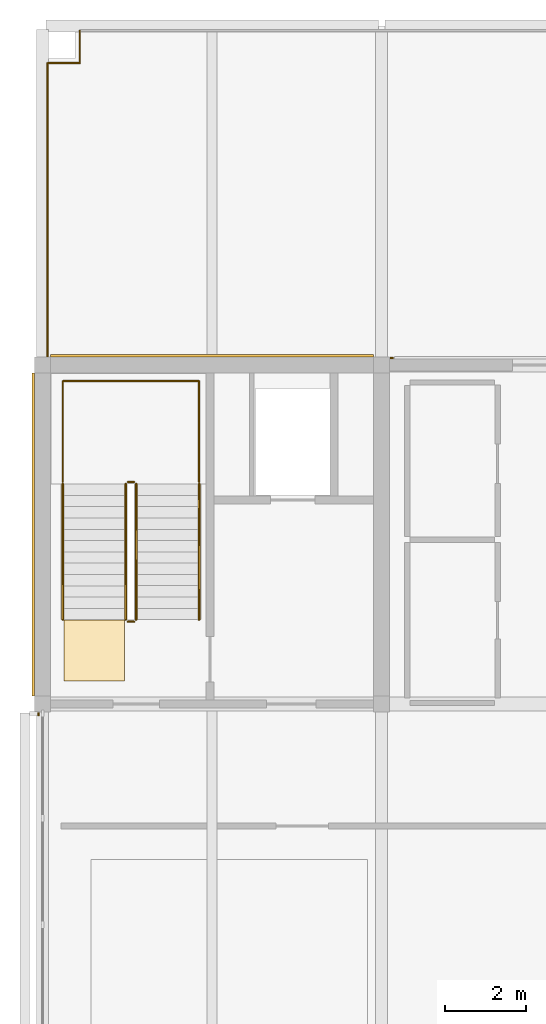
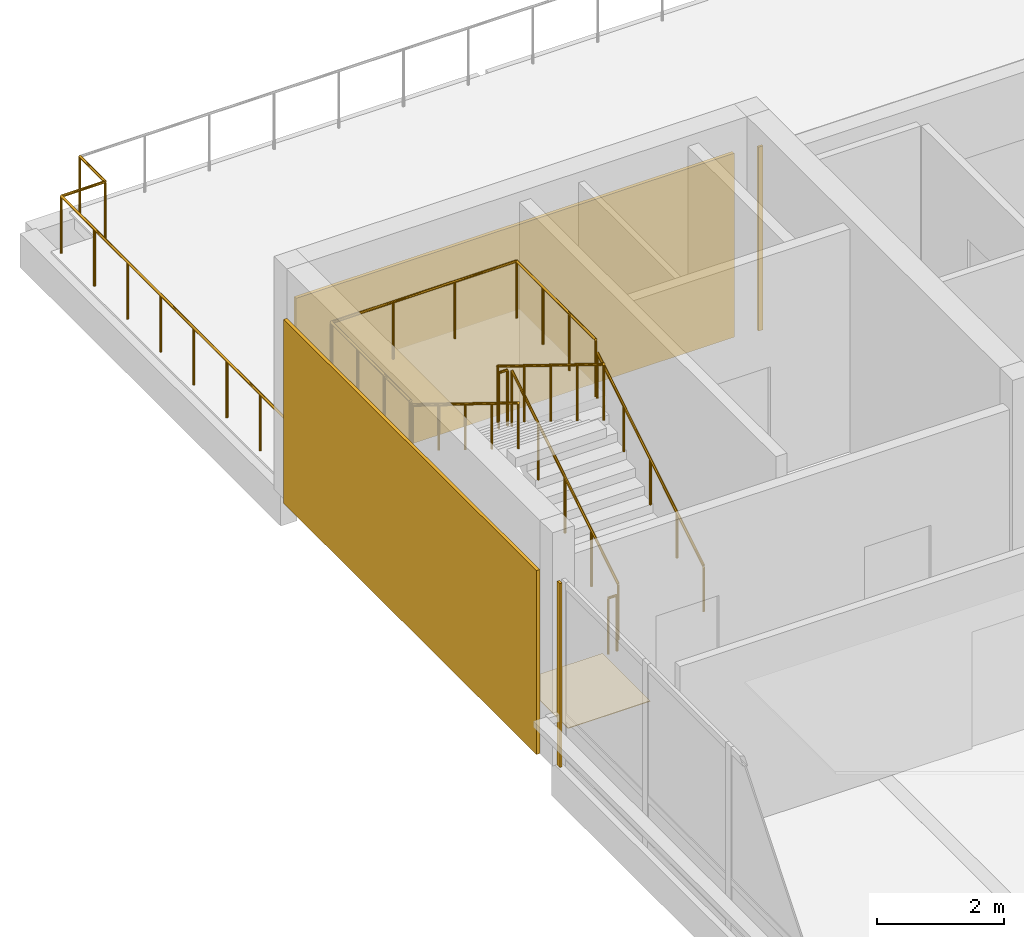
# One storey, part 19 of 25: 8 railings, 5 coverings.
"""IFC4 building model written with IfcOpenShell, lengths in metres."""

from ifc_helpers import new_model, si_unit, direction, frame, origin, origin_2d, place, context, subcontext, project, spatial, polyline, rectangle, circle, outline, extrude, material, layer, layer_set, type_object, element, save


model = new_model("IFC4")

# Units and contexts
model_context = context("Model", 3, precision=1e-05, world=origin(), true_north=direction((0.0, 1.0)))
body_context = subcontext(model_context, "Body", "Model", "MODEL_VIEW")
ifc_project = project(units=[si_unit("LENGTHUNIT", "METRE"), si_unit("AREAUNIT", "SQUARE_METRE"), si_unit("VOLUMEUNIT", "CUBIC_METRE"), si_unit("PLANEANGLEUNIT", "RADIAN"), si_unit("MASSUNIT", "GRAM", prefix="KILO")], contexts=[model_context])

# Site, building, storey
site_placement = place(None, origin())
site = spatial("IfcSite", under=ifc_project, at=site_placement, CompositionType="ELEMENT")
building_placement = place(site_placement, origin())
building = spatial("IfcBuilding", under=site, at=building_placement, Name="Telukmera Botanical Conservatory", CompositionType="ELEMENT")
storey_placement = place(building_placement, frame((0.0, 0.0, 64.5)))
storey = spatial("IfcBuildingStorey", under=building, at=storey_placement, Name="L14", CompositionType="ELEMENT", Elevation=64.5)

# Covering
ifc_material_1 = material(Name="Honed granite non-slip flooring", Category="masonry")
ifc_layer_1 = layer(ifc_material_1, 0.011962890625)
ifc_layer_set_1 = layer_set([ifc_layer_1], Name="Honed granite non-slip flooring")
covering_type_1 = type_object("IfcCoveringType", Name="COV-FLR-12", PredefinedType="FLOORING", material=ifc_layer_set_1)
covering_placement = place(storey_placement, origin())
element("IfcCovering", 1, at=covering_placement, inside=storey, type_object=covering_type_1, Name="L14 ST1 Non-Slip Stair Landing Finish", PredefinedType="FLOORING", context=body_context, shape_type="SweptSolid", body=[
    extrude(outline(polyline([(60.830078125, 26.570068359375), (60.830078125, 28.0849609375), (59.330078125, 28.0849609375), (59.330078125, 26.570068359375), (60.830078125, 26.570068359375)])), origin(), (0.0, 0.0, 1.0), 0.011962890625),
])

# Railing
ifc_material_2 = material(Name="Brushed stainless steel grade 316", Category="steel")
railing_type_1 = type_object("IfcRailingType", Name="Exterior Terrace Safety Guardrail 1100", PredefinedType="GUARDRAIL", material=ifc_material_2)
railing_1_placement = place(storey_placement, frame((58.919921875, 34.550048828125, 0.0400390625)))
element("IfcRailing", 2, at=railing_1_placement, inside=storey, type_object=railing_type_1, Name="Tower Sky Terrace Guardrail L14 W", PredefinedType="GUARDRAIL", context=body_context, shape_type="SweptSolid", body=[
    extrude(circle(Radius=0.02392578125, at=origin_2d()), frame((0.0, 0.0, 1.09619140625), z_axis=(0.0, 1.0, 0.0), x_axis=(-1.0, 0.0, 0.0)), (0.0, 0.0, 1.0), 7.329833984375),
    extrude(circle(Radius=0.02392578125, at=origin_2d()), frame((0.0, 7.329833984375, 1.09619140625), z_axis=(1.0, 0.0, 0.0), x_axis=(0.0, 1.0, 0.0)), (0.0, 0.0, 1.0), 0.800048828125),
    extrude(circle(Radius=0.02392578125, at=origin_2d()), frame((0.800048828125, 7.329833984375, 1.09619140625), z_axis=(0.0, 1.0, 0.0), x_axis=(-1.0, 0.0, 0.0)), (0.0, 0.0, 1.0), 0.800048828125),
    extrude(circle(Radius=0.02099609375, at=origin_2d()), origin(), (0.0, 0.0, 1.0), 1.072021484375),
    extrude(circle(Radius=0.02099609375, at=origin_2d()), frame((0.0, 1.047119140625, 0.0)), (0.0, 0.0, 1.0), 1.072021484375),
    extrude(circle(Radius=0.02099609375, at=origin_2d()), frame((0.0, 2.09423828125, 0.0)), (0.0, 0.0, 1.0), 1.072021484375),
    extrude(circle(Radius=0.02099609375, at=origin_2d()), frame((0.0, 3.141357421875, 0.0)), (0.0, 0.0, 1.0), 1.072021484375),
    extrude(circle(Radius=0.02099609375, at=origin_2d()), frame((0.0, 4.1884765625, 0.0)), (0.0, 0.0, 1.0), 1.072021484375),
    extrude(circle(Radius=0.02099609375, at=origin_2d()), frame((0.0, 5.235595703125, 0.0)), (0.0, 0.0, 1.0), 1.072021484375),
    extrude(circle(Radius=0.02099609375, at=origin_2d()), frame((0.0, 6.28271484375, 0.0)), (0.0, 0.0, 1.0), 1.072021484375),
    extrude(circle(Radius=0.02099609375, at=origin_2d()), frame((0.0, 7.329833984375, 0.0)), (0.0, 0.0, 1.0), 1.072021484375),
    extrude(circle(Radius=0.02099609375, at=origin_2d()), frame((0.800048828125, 7.329833984375, 0.0)), (0.0, 0.0, 1.0), 1.072021484375),
    extrude(circle(Radius=0.02099609375, at=origin_2d()), frame((0.800048828125, 8.1298828125, 0.0)), (0.0, 0.0, 1.0), 1.072021484375),
])

# Coverings
ifc_material_3 = material(Name="Granite-faced precast concrete C40/50", Category="masonry")
ifc_layer_2 = layer(ifc_material_3, 0.0400390625)
ifc_layer_set_2 = layer_set([ifc_layer_2], Name="Granite-faced precast concrete C40/50")
covering_type_2 = type_object("IfcCoveringType", Name="Granite Precast Column Pier Reveal Casing", PredefinedType="CLADDING", material=ifc_layer_set_2)
for number, where, z_axis, x_axis, name in (
    (3, (67.451904296875, 34.570068359375, 0.0), (0.0, 0.0, 1.0), (1.0, 0.0, 0.0), "Granite Pier Reveal V4:L14:N2 L"),
    (4, (58.699951171875, 25.748046875, 0.0), (0.0, 0.0, 1.0), (0.0, 1.0, 0.0), "Granite Pier Reveal V4:L14:W2 R"),
):
    element("IfcCovering", number, at=place(storey_placement, frame(where, z_axis=z_axis, x_axis=x_axis)), inside=storey, type_object=covering_type_2, Name=name, PredefinedType="CLADDING", context=body_context, shape_type="SweptSolid", body=[
        extrude(rectangle(XDim=0.080078125, YDim=0.0400390625, at=origin_2d()), origin(), (0.0, 0.0, 1.0), 3.550048828125),
    ])

# Railings
ifc_material_4 = material(Name="Steel S355", Category="steel")
railing_type_2 = type_object("IfcRailingType", Name="RL-GUARD-1100", PredefinedType="GUARDRAIL", material=ifc_material_4)
railing_2_placement = place(storey_placement, frame((61.1201171875, 28.090087890625, 0.173095703125)))
element("IfcRailing", 5, at=railing_2_placement, inside=storey, type_object=railing_type_2, Name="L14 ST1 stair guard 1", PredefinedType="GUARDRAIL", context=body_context, shape_type="SweptSolid", body=[
    extrude(circle(Radius=0.02392578125, at=origin_2d()), frame((0.0, 0.0, 1.076171875), z_axis=(0.0, 0.850606129759, 0.525803396734), x_axis=(-1.0, 0.0, 0.0)), (0.0, 0.0, 1.0), 3.949951171875),
    extrude(circle(Radius=0.02099609375, at=origin_2d()), origin(), (0.0, 0.0, 1.0), 1.052001953125),
    extrude(circle(Radius=0.02099609375, at=origin_2d()), frame((0.0, 0.83984375, 0.519287109375)), (0.0, 0.0, 1.0), 1.052001953125),
    extrude(circle(Radius=0.02099609375, at=origin_2d()), frame((0.0, 1.679931640625, 1.03857421875)), (0.0, 0.0, 1.0), 1.052001953125),
    extrude(circle(Radius=0.02099609375, at=origin_2d()), frame((0.0, 2.52001953125, 1.5576171875)), (0.0, 0.0, 1.0), 1.052001953125),
    extrude(circle(Radius=0.02099609375, at=origin_2d()), frame((0.0, 3.35986328125, 2.076904296875)), (0.0, 0.0, 1.0), 1.052001953125),
])
railing_3_placement = place(storey_placement, frame((61.070068359375, 31.5, 2.25)))
element("IfcRailing", 6, at=railing_3_placement, inside=storey, type_object=railing_type_2, Name="L14 ST1 stair guard 2", PredefinedType="GUARDRAIL", context=body_context, shape_type="SweptSolid", body=[
    extrude(circle(Radius=0.02392578125, at=origin_2d()), frame((0.0, 0.0, 1.076171875), z_axis=(-1.0, 0.0, 0.0), x_axis=(0.0, -1.0, 0.0)), (0.0, 0.0, 1.0), 0.16015625),
    extrude(circle(Radius=0.02099609375, at=origin_2d()), origin(), (0.0, 0.0, 1.0), 1.052001953125),
    extrude(circle(Radius=0.02099609375, at=origin_2d()), frame((-0.16015625, 0.0, 0.0)), (0.0, 0.0, 1.0), 1.052001953125),
])
railing_4_placement = place(storey_placement, frame((60.860107421875, 31.449951171875, 2.423095703125)))
element("IfcRailing", 7, at=railing_4_placement, inside=storey, type_object=railing_type_2, Name="L14 ST1 stair guard 3", PredefinedType="GUARDRAIL", context=body_context, shape_type="SweptSolid", body=[
    extrude(circle(Radius=0.02392578125, at=origin_2d()), frame((0.0, 0.0, 1.076171875), z_axis=(0.0, -0.850606129759, 0.525803396734), x_axis=(1.0, 0.0, 0.0)), (0.0, 0.0, 1.0), 3.949951171875),
    extrude(circle(Radius=0.02099609375, at=origin_2d()), origin(), (0.0, 0.0, 1.0), 1.052001953125),
    extrude(circle(Radius=0.02099609375, at=origin_2d()), frame((0.0, -0.83984375, 0.519287109375)), (0.0, 0.0, 1.0), 1.052001953125),
    extrude(circle(Radius=0.02099609375, at=origin_2d()), frame((0.0, -1.679931640625, 1.03857421875)), (0.0, 0.0, 1.0), 1.052001953125),
    extrude(circle(Radius=0.02099609375, at=origin_2d()), frame((0.0, -2.52001953125, 1.5576171875)), (0.0, 0.0, 1.0), 1.052001953125),
    extrude(circle(Radius=0.02099609375, at=origin_2d()), frame((0.0, -3.35986328125, 2.076904296875)), (0.0, 0.0, 1.0), 1.052001953125),
])
railing_5_placement = place(storey_placement, frame((61.070068359375, 28.0400390625, 0.0)))
element("IfcRailing", 8, at=railing_5_placement, inside=storey, type_object=railing_type_2, Name="L14 ST1 stair guard 4", PredefinedType="GUARDRAIL", context=body_context, shape_type="SweptSolid", body=[
    extrude(circle(Radius=0.02392578125, at=origin_2d()), frame((0.0, 0.0, 1.076171875), z_axis=(-1.0, 0.0, 0.0), x_axis=(0.0, -1.0, 0.0)), (0.0, 0.0, 1.0), 0.16015625),
    extrude(circle(Radius=0.02099609375, at=origin_2d()), origin(), (0.0, 0.0, 1.0), 1.052001953125),
    extrude(circle(Radius=0.02099609375, at=origin_2d()), frame((-0.16015625, 0.0, 0.0)), (0.0, 0.0, 1.0), 1.052001953125),
])
railing_6_placement = place(storey_placement, frame((62.679931640625, 31.5, 2.25)))
element("IfcRailing", 9, at=railing_6_placement, inside=storey, type_object=railing_type_2, Name="L14 ST1 half-landing perimeter guard 1", PredefinedType="GUARDRAIL", context=body_context, shape_type="SweptSolid", body=[
    extrude(circle(Radius=0.02392578125, at=origin_2d()), frame((0.0, 0.0, 1.09619140625), z_axis=(0.0, 1.0, 0.0), x_axis=(-1.0, 0.0, 0.0)), (0.0, 0.0, 1.0), 2.5),
    extrude(circle(Radius=0.02392578125, at=origin_2d()), frame((0.0, 2.5, 1.09619140625), z_axis=(-1.0, 0.0, 0.0), x_axis=(0.0, -1.0, 0.0)), (0.0, 0.0, 1.0), 3.3798828125),
    extrude(circle(Radius=0.02392578125, at=origin_2d()), frame((-3.3798828125, 2.5, 1.09619140625), z_axis=(0.0, -1.0, 0.0), x_axis=(1.0, 0.0, 0.0)), (0.0, 0.0, 1.0), 2.5),
    extrude(circle(Radius=0.02099609375, at=origin_2d()), origin(), (0.0, 0.0, 1.0), 1.072021484375),
    extrude(circle(Radius=0.02099609375, at=origin_2d()), frame((0.0, 0.833251953125, 0.0)), (0.0, 0.0, 1.0), 1.072021484375),
    extrude(circle(Radius=0.02099609375, at=origin_2d()), frame((0.0, 1.666748046875, 0.0)), (0.0, 0.0, 1.0), 1.072021484375),
    extrude(circle(Radius=0.02099609375, at=origin_2d()), frame((0.0, 2.5, 0.0)), (0.0, 0.0, 1.0), 1.072021484375),
    extrude(circle(Radius=0.02099609375, at=origin_2d()), frame((-1.126708984375, 2.5, 0.0)), (0.0, 0.0, 1.0), 1.072021484375),
    extrude(circle(Radius=0.02099609375, at=origin_2d()), frame((-2.253173828125, 2.5, 0.0)), (0.0, 0.0, 1.0), 1.072021484375),
    extrude(circle(Radius=0.02099609375, at=origin_2d()), frame((-3.3798828125, 2.5, 0.0)), (0.0, 0.0, 1.0), 1.072021484375),
    extrude(circle(Radius=0.02099609375, at=origin_2d()), frame((-3.3798828125, 1.666748046875, 0.0)), (0.0, 0.0, 1.0), 1.072021484375),
    extrude(circle(Radius=0.02099609375, at=origin_2d()), frame((-3.3798828125, 0.833251953125, 0.0)), (0.0, 0.0, 1.0), 1.072021484375),
    extrude(circle(Radius=0.02099609375, at=origin_2d()), frame((-3.3798828125, 0.0, 0.0)), (0.0, 0.0, 1.0), 1.072021484375),
])
ifc_material_5 = material(Name="Stainless steel 316", Category="steel")
railing_type_3 = type_object("IfcRailingType", Name="RL-HAND-900", PredefinedType="HANDRAIL", material=ifc_material_5)
railing_7_placement = place(storey_placement, frame((62.679931640625, 28.090087890625, 0.173095703125)))
element("IfcRailing", 10, at=railing_7_placement, inside=storey, type_object=railing_type_3, Name="L14 ST1 stair handrail 1", PredefinedType="HANDRAIL", context=body_context, shape_type="SweptSolid", body=[
    extrude(circle(Radius=0.02392578125, at=origin_2d()), frame((0.0, 0.0, 0.8759765625), z_axis=(0.0, 0.850606129759, 0.525803396734), x_axis=(-1.0, 0.0, 0.0)), (0.0, 0.0, 1.0), 3.949951171875),
    extrude(circle(Radius=0.02099609375, at=origin_2d()), origin(), (0.0, 0.0, 1.0), 0.851806640625),
    extrude(circle(Radius=0.02099609375, at=origin_2d()), frame((0.0, 0.83984375, 0.519287109375)), (0.0, 0.0, 1.0), 0.851806640625),
    extrude(circle(Radius=0.02099609375, at=origin_2d()), frame((0.0, 1.679931640625, 1.03857421875)), (0.0, 0.0, 1.0), 0.851806640625),
    extrude(circle(Radius=0.02099609375, at=origin_2d()), frame((0.0, 2.52001953125, 1.5576171875)), (0.0, 0.0, 1.0), 0.851806640625),
    extrude(circle(Radius=0.02099609375, at=origin_2d()), frame((0.0, 3.35986328125, 2.076904296875)), (0.0, 0.0, 1.0), 0.851806640625),
])
railing_8_placement = place(storey_placement, frame((59.300048828125, 31.449951171875, 2.423095703125)))
element("IfcRailing", 11, at=railing_8_placement, inside=storey, type_object=railing_type_3, Name="L14 ST1 stair handrail 2", PredefinedType="HANDRAIL", context=body_context, shape_type="SweptSolid", body=[
    extrude(circle(Radius=0.02392578125, at=origin_2d()), frame((0.0, 0.0, 0.8759765625), z_axis=(0.0, -0.850606129759, 0.525803396734), x_axis=(1.0, 0.0, 0.0)), (0.0, 0.0, 1.0), 3.949951171875),
    extrude(circle(Radius=0.02099609375, at=origin_2d()), origin(), (0.0, 0.0, 1.0), 0.851806640625),
    extrude(circle(Radius=0.02099609375, at=origin_2d()), frame((0.0, -0.83984375, 0.519287109375)), (0.0, 0.0, 1.0), 0.851806640625),
    extrude(circle(Radius=0.02099609375, at=origin_2d()), frame((0.0, -1.679931640625, 1.03857421875)), (0.0, 0.0, 1.0), 0.851806640625),
    extrude(circle(Radius=0.02099609375, at=origin_2d()), frame((0.0, -2.52001953125, 1.5576171875)), (0.0, 0.0, 1.0), 0.851806640625),
    extrude(circle(Radius=0.02099609375, at=origin_2d()), frame((0.0, -3.35986328125, 2.076904296875)), (0.0, 0.0, 1.0), 0.851806640625),
])

# Coverings
ifc_material_6 = material(Name="Terracotta-faced precast concrete C40/50", Category="masonry")
ifc_layer_3 = layer(ifc_material_6, 0.06005859375)
ifc_layer_set_3 = layer_set([ifc_layer_3], Name="Terracotta-faced precast concrete C40/50")
covering_type_3 = type_object("IfcCoveringType", Name="Terracotta Core Perimeter Cladding Panel", PredefinedType="CLADDING", material=ifc_layer_set_3)
for number, where, z_axis, x_axis, name in (
    (12, (63.0, 34.6298828125, 0.0), (0.0, 0.0, 1.0), (1.0, 0.0, 0.0), "Core Perimeter Terracotta Cladding V4:L14:N1"),
    (13, (58.570068359375, 30.199951171875, 0.0), (0.0, 0.0, 1.0), (0.0, 1.0, 0.0), "Core Perimeter Terracotta Cladding V4:L14:W3"),
):
    element("IfcCovering", number, at=place(storey_placement, frame(where, z_axis=z_axis, x_axis=x_axis)), inside=storey, type_object=covering_type_3, Name=name, PredefinedType="CLADDING", context=body_context, shape_type="SweptSolid", body=[
        extrude(rectangle(XDim=7.99609375, YDim=0.06005859375, at=origin_2d()), origin(), (0.0, 0.0, 1.0), 3.550048828125),
    ])

save(model, "model.ifc")
